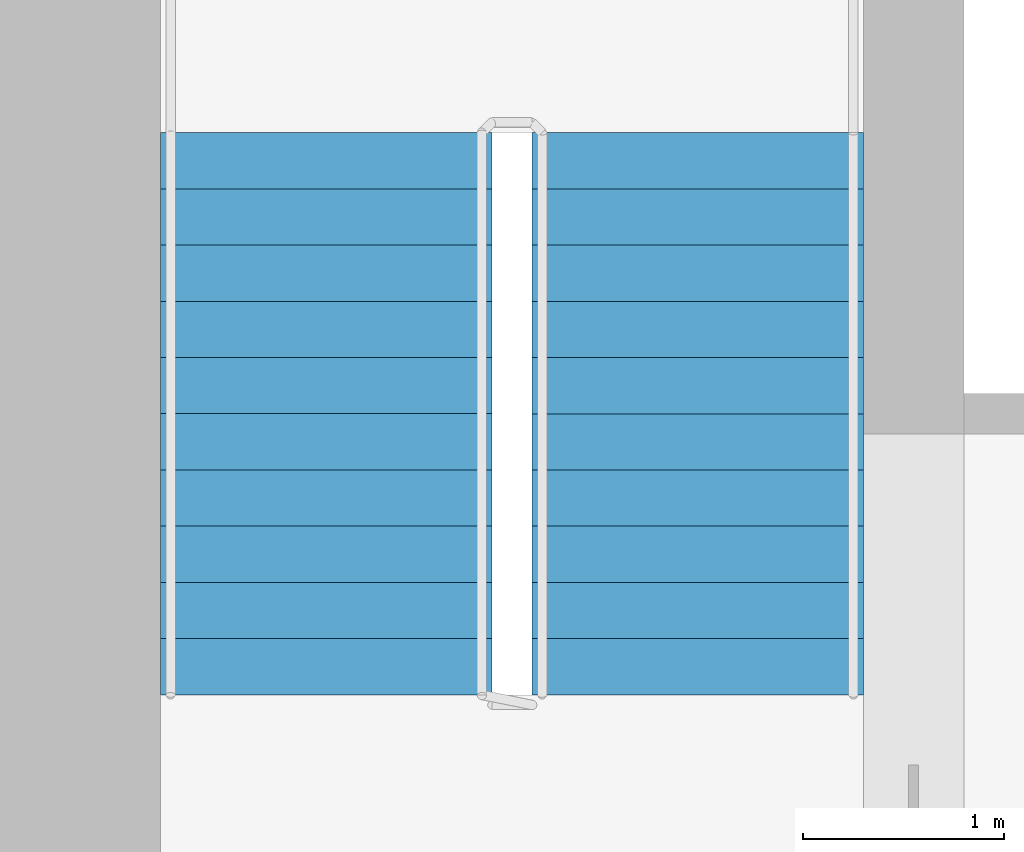
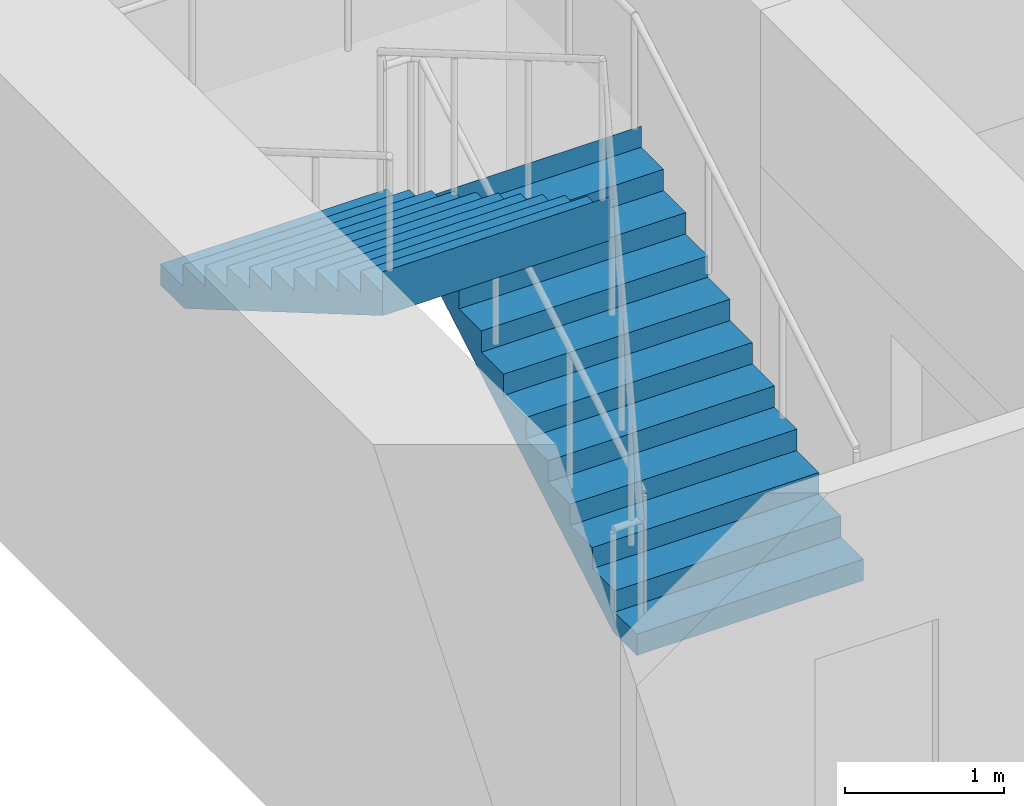
# One storey, part 13 of 14: 2 stair flights, 1 element without a shape of its own.
"""IFC4 building model written with IfcOpenShell, lengths in metres."""

from ifc_helpers import new_model, si_unit, direction, frame, origin, place, context, subcontext, project, spatial, polyline, outline, extrude, material, type_object, element, aggregate, save


model = new_model("IFC4")

# Units and contexts
model_context = context("Model", 3, precision=1e-05, world=origin(), true_north=direction((0.0, 1.0)))
body_context = subcontext(model_context, "Body", "Model", "MODEL_VIEW")
ifc_project = project(units=[si_unit("LENGTHUNIT", "METRE"), si_unit("AREAUNIT", "SQUARE_METRE"), si_unit("VOLUMEUNIT", "CUBIC_METRE"), si_unit("PLANEANGLEUNIT", "RADIAN"), si_unit("MASSUNIT", "GRAM", prefix="KILO")], contexts=[model_context])

# Site, building, storey
site_placement = place(None, origin())
site = spatial("IfcSite", under=ifc_project, at=site_placement, CompositionType="ELEMENT")
building_placement = place(site_placement, origin())
building = spatial("IfcBuilding", under=site, at=building_placement, Name="Tamorin Gate", CompositionType="ELEMENT")
storey_placement = place(building_placement, frame((0.0, 0.0, 86.300048828125)))
storey = spatial("IfcBuildingStorey", under=building, at=storey_placement, Name="L20", CompositionType="ELEMENT", Elevation=86.300048828125)

# Stair, stair flights
ifc_material = material(Name="Concrete C40/50", Category="concrete")
stair_type = type_object("IfcStairType", Name="Exit stair", PredefinedType="HALF_TURN_STAIR", material=ifc_material)
stair_placement = place(storey_placement, origin())
stair = element("IfcStair", 1, at=stair_placement, inside=storey, type_object=stair_type, Name="L20 stair ST2", PredefinedType="HALF_TURN_STAIR")
stair_flight_type = type_object("IfcStairFlightType", Name="Exit stair flight", PredefinedType="STRAIGHT", material=ifc_material)
stair_flight_1_placement = place(storey_placement, frame((33.675048828125, 77.0, 0.0), z_axis=(0.0, 0.0, 1.0), x_axis=(0.0, 1.0, 0.0)))
stair_flight_1 = element("IfcStairFlight", 2, at=stair_flight_1_placement, type_object=stair_flight_type, Name="ST2 flight 1", NumberOfRisers=11, NumberOfTreads=10, PredefinedType="STRAIGHT", RiserHeight=0.163636364, TreadLength=0.28, context=body_context, shape_type="SweptSolid", body=[
    extrude(outline(polyline([(-0.00048828125, 0.0), (-0.00048828125, 0.001708984375), (-0.00048828125, 0.003173828125), (-0.00048828125, 0.0048828125), (-0.00048828125, 0.006591796875), (-0.00048828125, 0.008056640625), (-0.00048828125, 0.009765625), (-0.00048828125, 0.01123046875), (-0.00048828125, 0.012939453125), (-0.00048828125, 0.0146484375), (-0.00048828125, 0.01611328125), (-0.00048828125, 0.017822265625), (-0.00048828125, 0.01953125), (-0.00048828125, 0.02099609375), (-0.00048828125, 0.022705078125), (-0.00048828125, 0.0244140625), (-0.00048828125, 0.02587890625), (-0.00048828125, 0.027587890625), (-0.00048828125, 0.029052734375), (-0.00048828125, 0.03076171875), (-0.00048828125, 0.032470703125), (-0.00048828125, 0.033935546875), (-0.00048828125, 0.03564453125), (-0.00048828125, 0.037353515625), (-0.00048828125, 0.038818359375), (-0.00048828125, 0.04052734375), (-0.00048828125, 0.042236328125), (-0.00048828125, 0.043701171875), (-0.00048828125, 0.04541015625), (-0.00048828125, 0.046875), (-0.00048828125, 0.048583984375), (-0.00048828125, 0.05029296875), (-0.00048828125, 0.0517578125), (-0.00048828125, 0.053466796875), (-0.00048828125, 0.05517578125), (-0.00048828125, 0.056640625), (-0.00048828125, 0.058349609375), (-0.00048828125, 0.06005859375), (-0.00048828125, 0.0615234375), (-0.00048828125, 0.063232421875), (-0.00048828125, 0.064697265625), (-0.00048828125, 0.06640625), (-0.00048828125, 0.068115234375), (-0.00048828125, 0.069580078125), (-0.00048828125, 0.0712890625), (-0.00048828125, 0.072998046875), (-0.00048828125, 0.074462890625), (-0.00048828125, 0.076171875), (-0.00048828125, 0.077880859375), (-0.00048828125, 0.079345703125), (-0.00048828125, 0.0810546875), (-0.00048828125, 0.08251953125), (-0.00048828125, 0.084228515625), (-0.00048828125, 0.0859375), (-0.00048828125, 0.08740234375), (-0.00048828125, 0.089111328125), (-0.00048828125, 0.0908203125), (-0.00048828125, 0.09228515625), (-0.00048828125, 0.093994140625), (-0.00048828125, 0.095703125), (-0.00048828125, 0.09716796875), (-0.00048828125, 0.098876953125), (-0.00048828125, 0.100341796875), (-0.00048828125, 0.10205078125), (-0.00048828125, 0.103759765625), (-0.00048828125, 0.105224609375), (-0.00048828125, 0.10693359375), (-0.00048828125, 0.108642578125), (-0.00048828125, 0.110107421875), (-0.00048828125, 0.11181640625), (-0.00048828125, 0.113525390625), (-0.00048828125, 0.114990234375), (-0.00048828125, 0.11669921875), (-0.00048828125, 0.1181640625), (-0.00048828125, 0.119873046875), (-0.00048828125, 0.12158203125), (-0.00048828125, 0.123046875), (-0.00048828125, 0.124755859375), (-0.00048828125, 0.12646484375), (-0.00048828125, 0.1279296875), (-0.00048828125, 0.129638671875), (-0.00048828125, 0.13134765625), (-0.00048828125, 0.1328125), (-0.00048828125, 0.134521484375), (-0.00048828125, 0.135986328125), (-0.00048828125, 0.1376953125), (-0.00048828125, 0.139404296875), (-0.00048828125, 0.140869140625), (-0.00048828125, 0.142578125), (-0.00048828125, 0.144287109375), (-0.00048828125, 0.145751953125), (-0.00048828125, 0.1474609375), (-0.00048828125, 0.149169921875), (-0.00048828125, 0.150634765625), (-0.00048828125, 0.15234375), (-0.00048828125, 0.15380859375), (-0.00048828125, 0.155517578125), (-0.00048828125, 0.1572265625), (-0.00048828125, 0.15869140625), (-0.00048828125, 0.160400390625), (-0.00048828125, 0.162109375), (-0.00048828125, 0.16357421875), (0.280029296875, 0.16357421875), (0.280029296875, 0.327392578125), (0.56005859375, 0.327392578125), (0.56005859375, 0.490966796875), (0.840087890625, 0.490966796875), (0.840087890625, 0.654541015625), (1.1201171875, 0.654541015625), (1.1201171875, 0.818115234375), (1.39990234375, 0.818115234375), (1.39990234375, 0.98193359375), (1.679931640625, 0.98193359375), (1.679931640625, 1.1455078125), (1.9599609375, 1.1455078125), (1.9599609375, 1.30908203125), (2.239990234375, 1.30908203125), (2.239990234375, 1.47265625), (2.52001953125, 1.47265625), (2.52001953125, 1.636474609375), (2.800048828125, 1.636474609375), (2.800048828125, 1.800048828125), (2.800537109375, 1.800048828125), (2.800537109375, 1.796630859375), (2.800537109375, 1.793212890625), (2.800537109375, 1.7900390625), (2.800537109375, 1.78662109375), (2.800537109375, 1.783203125), (2.800537109375, 1.780029296875), (2.800537109375, 1.776611328125), (2.800537109375, 1.773193359375), (2.800537109375, 1.77001953125), (2.800537109375, 1.7666015625), (2.800537109375, 1.76318359375), (2.800537109375, 1.760009765625), (2.800537109375, 1.756591796875), (2.800537109375, 1.753173828125), (2.800537109375, 1.75), (2.800537109375, 1.74658203125), (2.800537109375, 1.7431640625), (2.800537109375, 1.739990234375), (2.800537109375, 1.736572265625), (2.800537109375, 1.733154296875), (2.800537109375, 1.72998046875), (2.800537109375, 1.7265625), (2.800537109375, 1.72314453125), (2.800537109375, 1.719970703125), (2.800537109375, 1.716552734375), (2.800537109375, 1.713134765625), (2.800537109375, 1.7099609375), (2.800537109375, 1.70654296875), (2.800537109375, 1.703125), (2.800537109375, 1.69970703125), (2.800537109375, 1.696533203125), (2.800537109375, 1.693115234375), (2.800537109375, 1.689697265625), (2.800537109375, 1.6865234375), (2.800537109375, 1.68310546875), (2.800537109375, 1.6796875), (2.800537109375, 1.676513671875), (2.800537109375, 1.673095703125), (2.800537109375, 1.669677734375), (2.800537109375, 1.66650390625), (2.800537109375, 1.6630859375), (2.800537109375, 1.65966796875), (2.800537109375, 1.656494140625), (2.800537109375, 1.653076171875), (2.800537109375, 1.649658203125), (2.800537109375, 1.646484375), (2.800537109375, 1.64306640625), (2.800537109375, 1.6396484375), (2.800537109375, 1.636474609375), (2.800537109375, 1.633056640625), (2.800537109375, 1.629638671875), (2.800537109375, 1.62646484375), (2.800537109375, 1.623046875), (2.800537109375, 1.61962890625), (2.800537109375, 1.616455078125), (2.800537109375, 1.613037109375), (2.800537109375, 1.609619140625), (2.800537109375, 1.6064453125), (2.800537109375, 1.60302734375), (2.800537109375, 1.599609375), (2.800537109375, 1.59619140625), (2.800537109375, 1.593017578125), (2.800537109375, 1.589599609375), (2.800537109375, 1.586181640625), (2.800537109375, 1.5830078125), (2.800537109375, 1.57958984375), (2.800537109375, 1.576171875), (2.800537109375, 1.572998046875), (2.800537109375, 1.569580078125), (2.800537109375, 1.566162109375), (2.800537109375, 1.56298828125), (2.800537109375, 1.5595703125), (2.800537109375, 1.55615234375), (2.800537109375, 1.552978515625), (2.800537109375, 1.549560546875), (2.800537109375, 1.546142578125), (2.800537109375, 1.54296875), (2.800537109375, 1.53955078125), (2.800537109375, 1.5361328125), (2.800537109375, 1.532958984375), (2.800537109375, 1.529541015625), (2.800537109375, 1.526123046875), (2.800537109375, 1.52294921875), (2.800537109375, 1.51953125), (2.800537109375, 1.51611328125), (2.800537109375, 1.512939453125), (2.800537109375, 1.509521484375), (2.800537109375, 1.506103515625), (2.800537109375, 1.5029296875), (2.800537109375, 1.49951171875), (2.800537109375, 1.49609375), (2.800537109375, 1.49267578125), (2.800537109375, 1.489501953125), (2.800537109375, 1.486083984375), (2.800537109375, 1.482666015625), (2.800537109375, 1.4794921875), (2.800537109375, 1.47607421875), (2.800537109375, 1.47265625), (2.800537109375, 1.469482421875), (2.800537109375, 1.466064453125), (2.800537109375, 1.462646484375), (2.800048828125, 1.462646484375), (0.297119140625, 0.0), (-0.00048828125, 0.0)])), frame((0.0, 0.824951171875, 0.0), z_axis=(0.0, -1.0, 0.0), x_axis=(1.0, 0.0, 0.0)), (0.0, 0.0, 1.0), 1.64990234375),
])
stair_flight_2_placement = place(storey_placement, frame((31.824951171875, 79.800048828125, 1.800048828125), z_axis=(0.0, 0.0, 1.0), x_axis=(0.0, -1.0, 0.0)))
stair_flight_2 = element("IfcStairFlight", 3, at=stair_flight_2_placement, type_object=stair_flight_type, Name="ST2 flight 2", NumberOfRisers=11, NumberOfTreads=10, PredefinedType="STRAIGHT", RiserHeight=0.163636364, TreadLength=0.28, context=body_context, shape_type="SweptSolid", body=[
    extrude(outline(polyline([(-0.00048828125, 0.0), (-0.00048828125, 0.001708984375), (-0.00048828125, 0.003173828125), (-0.00048828125, 0.0048828125), (-0.00048828125, 0.006591796875), (-0.00048828125, 0.008056640625), (-0.00048828125, 0.009765625), (-0.00048828125, 0.01123046875), (-0.00048828125, 0.012939453125), (-0.00048828125, 0.0146484375), (-0.00048828125, 0.01611328125), (-0.00048828125, 0.017822265625), (-0.00048828125, 0.01953125), (-0.00048828125, 0.02099609375), (-0.00048828125, 0.022705078125), (-0.00048828125, 0.0244140625), (-0.00048828125, 0.02587890625), (-0.00048828125, 0.027587890625), (-0.00048828125, 0.029052734375), (-0.00048828125, 0.03076171875), (-0.00048828125, 0.032470703125), (-0.00048828125, 0.033935546875), (-0.00048828125, 0.03564453125), (-0.00048828125, 0.037353515625), (-0.00048828125, 0.038818359375), (-0.00048828125, 0.04052734375), (-0.00048828125, 0.042236328125), (-0.00048828125, 0.043701171875), (-0.00048828125, 0.04541015625), (-0.00048828125, 0.046875), (-0.00048828125, 0.048583984375), (-0.00048828125, 0.05029296875), (-0.00048828125, 0.0517578125), (-0.00048828125, 0.053466796875), (-0.00048828125, 0.05517578125), (-0.00048828125, 0.056640625), (-0.00048828125, 0.058349609375), (-0.00048828125, 0.06005859375), (-0.00048828125, 0.0615234375), (-0.00048828125, 0.063232421875), (-0.00048828125, 0.064697265625), (-0.00048828125, 0.06640625), (-0.00048828125, 0.068115234375), (-0.00048828125, 0.069580078125), (-0.00048828125, 0.0712890625), (-0.00048828125, 0.072998046875), (-0.00048828125, 0.074462890625), (-0.00048828125, 0.076171875), (-0.00048828125, 0.077880859375), (-0.00048828125, 0.079345703125), (-0.00048828125, 0.0810546875), (-0.00048828125, 0.08251953125), (-0.00048828125, 0.084228515625), (-0.00048828125, 0.0859375), (-0.00048828125, 0.08740234375), (-0.00048828125, 0.089111328125), (-0.00048828125, 0.0908203125), (-0.00048828125, 0.09228515625), (-0.00048828125, 0.093994140625), (-0.00048828125, 0.095703125), (-0.00048828125, 0.09716796875), (-0.00048828125, 0.098876953125), (-0.00048828125, 0.100341796875), (-0.00048828125, 0.10205078125), (-0.00048828125, 0.103759765625), (-0.00048828125, 0.105224609375), (-0.00048828125, 0.10693359375), (-0.00048828125, 0.108642578125), (-0.00048828125, 0.110107421875), (-0.00048828125, 0.11181640625), (-0.00048828125, 0.113525390625), (-0.00048828125, 0.114990234375), (-0.00048828125, 0.11669921875), (-0.00048828125, 0.1181640625), (-0.00048828125, 0.119873046875), (-0.00048828125, 0.12158203125), (-0.00048828125, 0.123046875), (-0.00048828125, 0.124755859375), (-0.00048828125, 0.12646484375), (-0.00048828125, 0.1279296875), (-0.00048828125, 0.129638671875), (-0.00048828125, 0.13134765625), (-0.00048828125, 0.1328125), (-0.00048828125, 0.134521484375), (-0.00048828125, 0.135986328125), (-0.00048828125, 0.1376953125), (-0.00048828125, 0.139404296875), (-0.00048828125, 0.140869140625), (-0.00048828125, 0.142578125), (-0.00048828125, 0.144287109375), (-0.00048828125, 0.145751953125), (-0.00048828125, 0.1474609375), (-0.00048828125, 0.149169921875), (-0.00048828125, 0.150634765625), (-0.00048828125, 0.15234375), (-0.00048828125, 0.15380859375), (-0.00048828125, 0.155517578125), (-0.00048828125, 0.1572265625), (-0.00048828125, 0.15869140625), (-0.00048828125, 0.160400390625), (-0.00048828125, 0.162109375), (-0.00048828125, 0.16357421875), (0.280029296875, 0.16357421875), (0.280029296875, 0.327392578125), (0.56005859375, 0.327392578125), (0.56005859375, 0.490966796875), (0.840087890625, 0.490966796875), (0.840087890625, 0.654541015625), (1.1201171875, 0.654541015625), (1.1201171875, 0.818115234375), (1.39990234375, 0.818115234375), (1.39990234375, 0.98193359375), (1.679931640625, 0.98193359375), (1.679931640625, 1.1455078125), (1.9599609375, 1.1455078125), (1.9599609375, 1.30908203125), (2.239990234375, 1.30908203125), (2.239990234375, 1.47265625), (2.52001953125, 1.47265625), (2.52001953125, 1.636474609375), (2.800048828125, 1.636474609375), (2.800048828125, 1.800048828125), (2.800537109375, 1.800048828125), (2.800537109375, 1.796630859375), (2.800537109375, 1.793212890625), (2.800537109375, 1.7900390625), (2.800537109375, 1.78662109375), (2.800537109375, 1.783203125), (2.800537109375, 1.780029296875), (2.800537109375, 1.776611328125), (2.800537109375, 1.773193359375), (2.800537109375, 1.77001953125), (2.800537109375, 1.7666015625), (2.800537109375, 1.76318359375), (2.800537109375, 1.760009765625), (2.800537109375, 1.756591796875), (2.800537109375, 1.753173828125), (2.800537109375, 1.75), (2.800537109375, 1.74658203125), (2.800537109375, 1.7431640625), (2.800537109375, 1.739990234375), (2.800537109375, 1.736572265625), (2.800537109375, 1.733154296875), (2.800537109375, 1.72998046875), (2.800537109375, 1.7265625), (2.800537109375, 1.72314453125), (2.800537109375, 1.719970703125), (2.800537109375, 1.716552734375), (2.800537109375, 1.713134765625), (2.800537109375, 1.7099609375), (2.800537109375, 1.70654296875), (2.800537109375, 1.703125), (2.800537109375, 1.69970703125), (2.800537109375, 1.696533203125), (2.800537109375, 1.693115234375), (2.800537109375, 1.689697265625), (2.800537109375, 1.6865234375), (2.800537109375, 1.68310546875), (2.800537109375, 1.6796875), (2.800537109375, 1.676513671875), (2.800537109375, 1.673095703125), (2.800537109375, 1.669677734375), (2.800537109375, 1.66650390625), (2.800537109375, 1.6630859375), (2.800537109375, 1.65966796875), (2.800537109375, 1.656494140625), (2.800537109375, 1.653076171875), (2.800537109375, 1.649658203125), (2.800537109375, 1.646484375), (2.800537109375, 1.64306640625), (2.800537109375, 1.6396484375), (2.800537109375, 1.636474609375), (2.800537109375, 1.633056640625), (2.800537109375, 1.629638671875), (2.800537109375, 1.62646484375), (2.800537109375, 1.623046875), (2.800537109375, 1.61962890625), (2.800537109375, 1.616455078125), (2.800537109375, 1.613037109375), (2.800537109375, 1.609619140625), (2.800537109375, 1.6064453125), (2.800537109375, 1.60302734375), (2.800537109375, 1.599609375), (2.800537109375, 1.59619140625), (2.800537109375, 1.593017578125), (2.800537109375, 1.589599609375), (2.800537109375, 1.586181640625), (2.800537109375, 1.5830078125), (2.800537109375, 1.57958984375), (2.800537109375, 1.576171875), (2.800537109375, 1.572998046875), (2.800537109375, 1.569580078125), (2.800537109375, 1.566162109375), (2.800537109375, 1.56298828125), (2.800537109375, 1.5595703125), (2.800537109375, 1.55615234375), (2.800537109375, 1.552978515625), (2.800537109375, 1.549560546875), (2.800537109375, 1.546142578125), (2.800537109375, 1.54296875), (2.800537109375, 1.53955078125), (2.800537109375, 1.5361328125), (2.800537109375, 1.532958984375), (2.800537109375, 1.529541015625), (2.800537109375, 1.526123046875), (2.800537109375, 1.52294921875), (2.800537109375, 1.51953125), (2.800537109375, 1.51611328125), (2.800537109375, 1.512939453125), (2.800537109375, 1.509521484375), (2.800537109375, 1.506103515625), (2.800537109375, 1.5029296875), (2.800537109375, 1.49951171875), (2.800537109375, 1.49609375), (2.800537109375, 1.49267578125), (2.800537109375, 1.489501953125), (2.800537109375, 1.486083984375), (2.800537109375, 1.482666015625), (2.800537109375, 1.4794921875), (2.800537109375, 1.47607421875), (2.800537109375, 1.47265625), (2.800537109375, 1.469482421875), (2.800537109375, 1.466064453125), (2.800537109375, 1.462646484375), (2.800048828125, 1.462646484375), (0.297119140625, 0.0), (-0.00048828125, 0.0)])), frame((0.0, 0.824951171875, 0.0), z_axis=(0.0, -1.0, 0.0), x_axis=(1.0, 0.0, 0.0)), (0.0, 0.0, 1.0), 1.64990234375),
])
aggregate(stair, [stair_flight_1, stair_flight_2])

save(model, "model.ifc")
